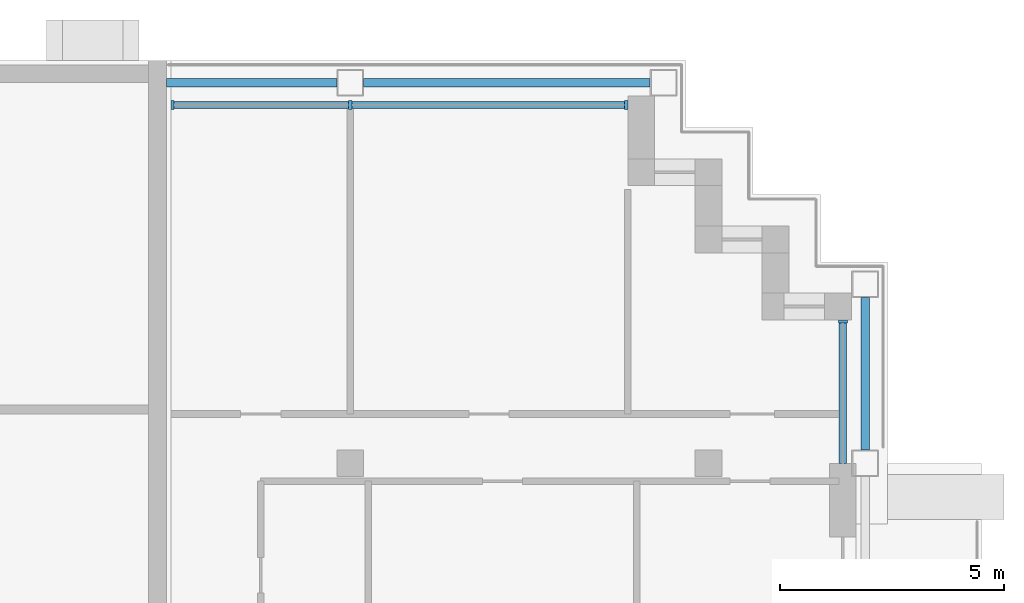
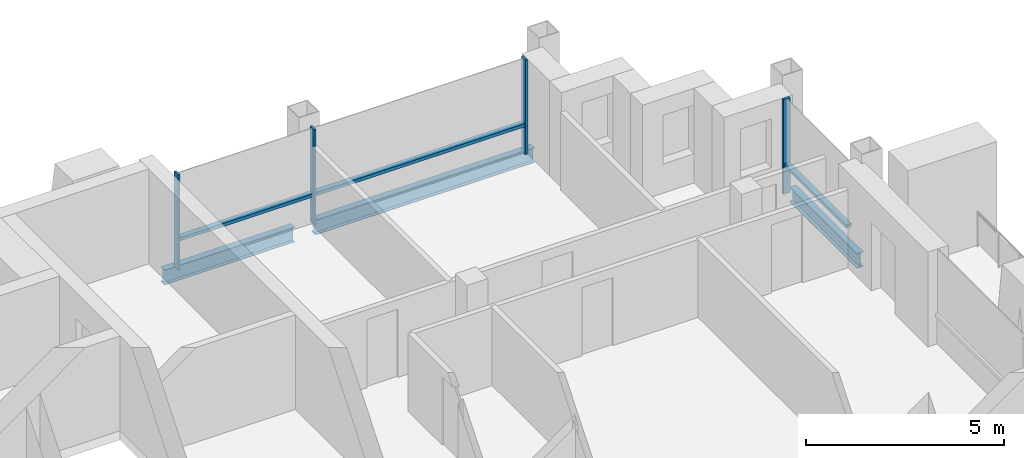
# One storey, part 5 of 15: 7 members, 3 beams, 2 elements without a shape of their own.
"""IFC4 building model written with IfcOpenShell, lengths in metres."""

import ifcopenshell
import ifcopenshell.guid

model = None  # the IFC model being written
_history = None  # IfcOwnerHistory: only IFC2X3 demands one
_inside = {}  # id of a spatial element -> (the spatial element, [elements in it])
_under = {}  # id of a project, library or spatial element -> (it, [spatial elements below it])
_declared = {}  # id of a project -> (the project, [libraries it declares])
_typed = {}  # id of a type object -> (the type object, [elements of that type])
_made_of = {}  # id of a material, layer set ... -> (it, [elements and type objects made of it])


def new_model(schema):
    """Start an empty IFC model of exactly this schema.

    Asked for "IFC4X3", IfcOpenShell would pick the latest addendum, in which some entities
    have other attributes; the version numbers below select the first issue.
    IFC2X3 requires an IfcOwnerHistory on every rooted entity: one is made here for all.
    """
    global model, _history
    if schema == "IFC4X3":
        model = ifcopenshell.file(schema_version=(4, 3, 0, 0))
    else:
        model = ifcopenshell.file(schema=schema)
    _inside.clear()
    _under.clear()
    _declared.clear()
    _typed.clear()
    _made_of.clear()
    _history = None
    if model.schema == "IFC2X3":
        org = make("IfcOrganization", Name="unknown")
        user = make(
            "IfcPersonAndOrganization",
            ThePerson=make("IfcPerson", FamilyName="unknown"),
            TheOrganization=org,
        )
        app = make(
            "IfcApplication",
            ApplicationDeveloper=org,
            Version="unknown",
            ApplicationFullName="unknown",
            ApplicationIdentifier="unknown",
        )
        _history = make(
            "IfcOwnerHistory",
            OwningUser=user,
            OwningApplication=app,
            ChangeAction="ADDED",
            CreationDate=0,
        )
    return model


def make(cls, **values):
    """One entity of the class cls with the attributes given. An attribute that is None is left unset."""
    return model.create_entity(
        cls, **{name: value for name, value in values.items() if value is not None}
    )


def rooted(cls, **values):
    """An entity with a GlobalId (a new one), such as an element, a storey or a relation."""
    return make(cls, GlobalId=ifcopenshell.guid.new(), OwnerHistory=_history, **values)


def si_unit(unit_type, name, prefix=None):
    """IfcSIUnit, for example si_unit("LENGTHUNIT", "METRE", prefix="MILLI")."""
    return make("IfcSIUnit", UnitType=unit_type, Prefix=prefix, Name=name)


def assignment(units):
    """IfcUnitAssignment: the units of a project."""
    return None if units is None else make("IfcUnitAssignment", Units=units)


def point(xyz):
    """IfcCartesianPoint."""
    return None if xyz is None else make("IfcCartesianPoint", Coordinates=xyz)


def direction(xyz):
    """IfcDirection."""
    return None if xyz is None else make("IfcDirection", DirectionRatios=xyz)


def frame(location, z_axis=None, x_axis=None):
    """IfcAxis2Placement3D, a coordinate frame: its origin and axes. An axis left out is left unset."""
    return make(
        "IfcAxis2Placement3D",
        Location=point(location),
        Axis=direction(z_axis),
        RefDirection=direction(x_axis),
    )


def frame_2d(location, x_axis=None):
    """IfcAxis2Placement2D, a coordinate frame in the plane: its origin and x axis."""
    return make(
        "IfcAxis2Placement2D", Location=point(location), RefDirection=direction(x_axis)
    )


def origin():
    """The frame at (0, 0, 0) with its axes left unset."""
    return frame((0.0, 0.0, 0.0))


def origin_2d():
    """The frame at (0, 0) in the plane with its x axis left unset."""
    return frame_2d((0.0, 0.0))


def place(relative_to, where):
    """IfcLocalPlacement: puts the frame where relative to a parent placement (None: the world)."""
    return make(
        "IfcLocalPlacement", PlacementRelTo=relative_to, RelativePlacement=where
    )


def context(
    kind, dimensions, precision=None, world=None, true_north=None, identifier=None
):
    """IfcGeometricRepresentationContext, for example the 3D "Model" context."""
    return make(
        "IfcGeometricRepresentationContext",
        ContextIdentifier=identifier,
        ContextType=kind,
        CoordinateSpaceDimension=dimensions,
        Precision=precision,
        WorldCoordinateSystem=world,
        TrueNorth=true_north,
    )


def subcontext(parent, identifier, kind, view, scale=None):
    """IfcGeometricRepresentationSubContext, for example "Body" below "Model"."""
    return make(
        "IfcGeometricRepresentationSubContext",
        ContextIdentifier=identifier,
        ContextType=kind,
        ParentContext=parent,
        TargetScale=scale,
        TargetView=view,
    )


def project(units=None, contexts=None):
    """IfcProject with its units and contexts."""
    return rooted(
        "IfcProject",
        Name="project",
        RepresentationContexts=contexts,
        UnitsInContext=assignment(units),
    )


def spatial(cls, under=None, at=None, **own):
    """A site, building, storey or space (cls), placed at a placement, below another one or the project."""
    s = rooted(cls, ObjectPlacement=at, **own)
    if under is not None:
        _under.setdefault(under.id(), (under, []))[1].append(s)
    return s


def profile(cls, at=None, kind="AREA", **sizes):
    """A parametric profile (cls). Its sizes go by their IFC names, for example OverallWidth=200.0."""
    return make(cls, ProfileType=kind, Position=at, **sizes)


def rectangle(**sizes):
    """IfcRectangleProfileDef."""
    return profile("IfcRectangleProfileDef", **sizes)


def i_section(**sizes):
    """IfcIShapeProfileDef."""
    return profile("IfcIShapeProfileDef", **sizes)


def extrude(swept, where, along, depth):
    """IfcExtrudedAreaSolid: the profile swept, set in the frame where, extruded along a direction by depth."""
    return make(
        "IfcExtrudedAreaSolid",
        SweptArea=swept,
        Position=where,
        ExtrudedDirection=direction(along),
        Depth=depth,
    )


def shape(context_of_items, identifier, shape_type, items):
    """IfcShapeRepresentation: the items that make up one representation, for example the "Body"."""
    return make(
        "IfcShapeRepresentation",
        ContextOfItems=context_of_items,
        RepresentationIdentifier=identifier,
        RepresentationType=shape_type,
        Items=items,
    )


def material(Name=None, Category=None):
    """IfcMaterial."""
    return make("IfcMaterial", Name=Name, Category=Category)


def material_profile(
    of_material, cross_section, Name=None, Category=None, Priority=None
):
    """IfcMaterialProfile: a cross section and its material."""
    return make(
        "IfcMaterialProfile",
        Name=Name,
        Material=of_material,
        Profile=cross_section,
        Priority=Priority,
        Category=Category,
    )


def profile_set(profiles, Name=None, composite=None):
    """IfcMaterialProfileSet."""
    return make(
        "IfcMaterialProfileSet",
        Name=Name,
        MaterialProfiles=profiles,
        CompositeProfile=composite,
    )


def made_of(thing, what):
    """Note that an element or type object is made of a material, layer set ...; save() writes the relation."""
    if what is not None:
        _made_of.setdefault(what.id(), (what, []))[1].append(thing)
    return thing


def type_object(cls, material=None, **own):
    """A type object (cls), such as IfcWallType, which elements share."""
    return made_of(rooted(cls, **own), material)


def element(
    cls,
    number,
    at=None,
    inside=None,
    cuts=None,
    type_object=None,
    material=None,
    context=None,
    identifier="Body",
    shape_type=None,
    held_by="IfcProductDefinitionShape",
    body=None,
    shapes=None,
    **own,
):
    """One element of the class cls, such as IfcWall. Its Tag is "e" and its number.

    at: its placement. inside: the storey or other place that contains it. cuts: it is an
    opening in that element (IfcRelVoidsElement). A single representation is given by context,
    identifier, shape_type and body (its items); several are given by shapes. held_by: the class
    of the entity that holds the representations. save() writes the other relations.
    """
    e = rooted(cls, Tag="e%d" % number, ObjectPlacement=at, **own)
    if body is not None:
        shapes = [shape(context, identifier, shape_type, body)]
    if shapes is not None:
        e.Representation = make(held_by, Representations=shapes)
    if inside is not None:
        _inside.setdefault(inside.id(), (inside, []))[1].append(e)
    if cuts is not None:
        rooted(
            "IfcRelVoidsElement", RelatingBuildingElement=cuts, RelatedOpeningElement=e
        )
    if type_object is not None:
        _typed.setdefault(type_object.id(), (type_object, []))[1].append(e)
    return made_of(e, material)


def aggregate(whole, parts):
    """IfcRelAggregates: a whole, such as a stair, and the parts it consists of."""
    return rooted("IfcRelAggregates", RelatingObject=whole, RelatedObjects=parts)


def save(model, path):
    """Write the relations noted so far, then the file.

    IfcRelAggregates (storeys below a building ...), IfcRelContainedInSpatialStructure (elements
    in a storey), IfcRelDefinesByType, IfcRelAssociatesMaterial and IfcRelDeclares: one each for
    every whole, place, type object, material and project.
    """
    for whole, parts in _under.values():
        aggregate(whole, parts)
    for where, things in _inside.values():
        rooted(
            "IfcRelContainedInSpatialStructure",
            RelatedElements=things,
            RelatingStructure=where,
        )
    for kind, things in _typed.values():
        rooted("IfcRelDefinesByType", RelatedObjects=things, RelatingType=kind)
    for what, things in _made_of.values():
        rooted("IfcRelAssociatesMaterial", RelatedObjects=things, RelatingMaterial=what)
    for by, libraries in _declared.values():
        rooted("IfcRelDeclares", RelatingContext=by, RelatedDefinitions=libraries)
    model.write(path)


model = new_model("IFC4")

# Units and contexts
model_context = context("Model", 3, precision=1e-05, world=origin(), true_north=direction((0.0, 1.0)))
body_context = subcontext(model_context, "Body", "Model", "MODEL_VIEW")
ifc_project = project(units=[si_unit("LENGTHUNIT", "METRE"), si_unit("AREAUNIT", "SQUARE_METRE"), si_unit("VOLUMEUNIT", "CUBIC_METRE"), si_unit("PLANEANGLEUNIT", "RADIAN"), si_unit("MASSUNIT", "GRAM", prefix="KILO")], contexts=[model_context])

# Site, building, storey
site_placement = place(None, origin())
site = spatial("IfcSite", under=ifc_project, at=site_placement, CompositionType="ELEMENT")
building_placement = place(site_placement, origin())
building = spatial("IfcBuilding", under=site, at=building_placement, Name="Vidyagriha Tower", CompositionType="ELEMENT")
storey_placement = place(building_placement, frame((0.0, 0.0, 214.0)))
storey = spatial("IfcBuildingStorey", under=building, at=storey_placement, Name="L55", CompositionType="ELEMENT", Elevation=214.0)

# Beams
ifc_material_1 = material(Name="Steel ASTM A992 Grade 50", Category="steel")
ifc_material_profile_1 = material_profile(ifc_material_1, i_section(OverallWidth=0.19189453125, OverallDepth=0.46240234375, WebThickness=0.010498046875, FlangeThickness=0.017578125, at=origin_2d()), Name="W18X60")
ifc_profile_set_1 = profile_set([ifc_material_profile_1], Name="Steel ASTM A992 Grade 50")
beam_type = type_object("IfcBeamType", Name="Edge beam W18X60", PredefinedType="SPANDREL", material=ifc_profile_set_1)
beam_1_placement = place(storey_placement, frame((29.5, 11.300048828125, -0.51123046875), z_axis=(0.0, 1.0, 0.0), x_axis=(-1.0, 0.0, 0.0)))
element("IfcBeam", 1, at=beam_1_placement, inside=storey, type_object=beam_type, Name="st-beam-L55-E17", PredefinedType="SPANDREL", context=body_context, shape_type="SweptSolid", body=[
    extrude(i_section(OverallWidth=0.19189453125, OverallDepth=0.46240234375, WebThickness=0.010498046875, FlangeThickness=0.017578125, at=origin_2d()), origin(), (0.0, 0.0, 1.0), 3.39990234375),
])
beam_2_placement = place(storey_placement, frame((18.300048828125, 19.5, -0.51123046875), z_axis=(1.0, 0.0, 0.0), x_axis=(0.0, 1.0, 0.0)))
element("IfcBeam", 2, at=beam_2_placement, inside=storey, type_object=beam_type, Name="st-beam-L55-NE19", PredefinedType="SPANDREL", context=body_context, shape_type="SweptSolid", body=[
    extrude(i_section(OverallWidth=0.19189453125, OverallDepth=0.46240234375, WebThickness=0.010498046875, FlangeThickness=0.017578125, at=origin_2d()), origin(), (0.0, 0.0, 1.0), 6.39990234375),
])
beam_3_placement = place(storey_placement, frame((13.89990234375, 19.5, -0.51123046875), z_axis=(1.0, 0.0, 0.0), x_axis=(0.0, 1.0, 0.0)))
element("IfcBeam", 3, at=beam_3_placement, inside=storey, type_object=beam_type, Name="st-beam-L55-NC21", PredefinedType="SPANDREL", context=body_context, shape_type="SweptSolid", body=[
    extrude(i_section(OverallWidth=0.19189453125, OverallDepth=0.46240234375, WebThickness=0.010498046875, FlangeThickness=0.017578125, at=origin_2d()), origin(), (0.0, 0.0, 1.0), 3.800048828125),
])

# Curtain wall, members
ifc_material_2 = material(Name="Aluminium and glass curtain wall", Category="aluminium")
curtain_wall_type = type_object("IfcCurtainWallType", Name="Dwelling skin unitised curtain wall", PredefinedType="USERDEFINED", material=ifc_material_2)
curtain_wall_1_placement = place(storey_placement, origin())
curtain_wall_1 = element("IfcCurtainWall", 4, at=curtain_wall_1_placement, inside=storey, type_object=curtain_wall_type, Name="CW1 dwelling skin", ObjectType="UNITISED", PredefinedType="USERDEFINED")
ifc_material_3 = material(Name="Aluminium black anodised", Category="aluminium")
ifc_material_profile_2 = material_profile(ifc_material_3, rectangle(XDim=0.199951171875, YDim=0.070068359375, at=origin_2d()), Name="Mullion 70x200 black aluminium")
ifc_profile_set_2 = profile_set([ifc_material_profile_2], Name="Aluminium black anodised")
member_type_1 = type_object("IfcMemberType", Name="Mullion 70x200 black aluminium", PredefinedType="MULLION", material=ifc_profile_set_2)
member_1_placement = place(storey_placement, frame((24.1650390625, 19.0, 0.0), z_axis=(0.0, 0.0, 1.0), x_axis=(0.0, -1.0, 0.0)))
member_1 = element("IfcMember", 5, at=member_1_placement, type_object=member_type_1, Name="CW1 mullion 1", PredefinedType="MULLION", context=body_context, shape_type="SweptSolid", body=[
    extrude(rectangle(XDim=0.199951171875, YDim=0.070068359375, at=origin_2d()), origin(), (0.0, 0.0, 1.0), 2.919921875),
])
member_2_placement = place(storey_placement, frame((18.0, 19.0, 0.0), z_axis=(0.0, 0.0, 1.0), x_axis=(0.0, -1.0, 0.0)))
member_2 = element("IfcMember", 6, at=member_2_placement, type_object=member_type_1, Name="CW1 mullion 2", PredefinedType="MULLION", context=body_context, shape_type="SweptSolid", body=[
    extrude(rectangle(XDim=0.199951171875, YDim=0.070068359375, at=origin_2d()), origin(), (0.0, 0.0, 1.0), 2.919921875),
])
member_3_placement = place(storey_placement, frame((14.034912109375, 19.0, 0.0), z_axis=(0.0, 0.0, 1.0), x_axis=(0.0, -1.0, 0.0)))
member_3 = element("IfcMember", 7, at=member_3_placement, type_object=member_type_1, Name="CW1 mullion 3", PredefinedType="MULLION", context=body_context, shape_type="SweptSolid", body=[
    extrude(rectangle(XDim=0.199951171875, YDim=0.070068359375, at=origin_2d()), origin(), (0.0, 0.0, 1.0), 2.919921875),
])

# Curtain wall, member
curtain_wall_2_placement = place(storey_placement, origin())
curtain_wall_2 = element("IfcCurtainWall", 8, at=curtain_wall_2_placement, inside=storey, type_object=curtain_wall_type, Name="CW1 dwelling skin", ObjectType="UNITISED", PredefinedType="USERDEFINED")
member_4_placement = place(storey_placement, frame((29.0, 14.1650390625, 0.0), z_axis=(0.0, 0.0, 1.0), x_axis=(-1.0, 0.0, 0.0)))
member_4 = element("IfcMember", 9, at=member_4_placement, type_object=member_type_1, Name="CW1 mullion 2", PredefinedType="MULLION", context=body_context, shape_type="SweptSolid", body=[
    extrude(rectangle(XDim=0.199951171875, YDim=0.070068359375, at=origin_2d()), origin(), (0.0, 0.0, 1.0), 2.919921875),
])

# Member
ifc_material_4 = material(Name="Aluminium black anodised", Category="aluminium")
ifc_material_profile_3 = material_profile(ifc_material_4, rectangle(XDim=0.159912109375, YDim=0.10009765625, at=origin_2d()), Name="Transom 100x160 black aluminium")
ifc_profile_set_3 = profile_set([ifc_material_profile_3], Name="Aluminium black anodised")
member_type_2 = type_object("IfcMemberType", Name="Transom 100x160 black aluminium", PredefinedType="USERDEFINED", material=ifc_profile_set_3)
member_5_placement = place(storey_placement, frame((24.1298828125, 19.0, 0.89990234375), z_axis=(-1.0, 0.0, 0.0), x_axis=(0.0, -1.0, 0.0)))
member_5 = element("IfcMember", 10, at=member_5_placement, type_object=member_type_2, Name="CW1 transom 1.1", ObjectType="TRANSOM", PredefinedType="USERDEFINED", context=body_context, shape_type="SweptSolid", body=[
    extrude(rectangle(XDim=0.159912109375, YDim=0.10009765625, at=origin_2d()), origin(), (0.0, 0.0, 1.0), 6.094970703125),
])

member_6_placement = place(storey_placement, frame((17.965087890625, 19.0, 0.89990234375), z_axis=(-1.0, 0.0, 0.0), x_axis=(0.0, -1.0, 0.0)))
member_6 = element("IfcMember", 11, at=member_6_placement, type_object=member_type_2, Name="CW1 transom 2.1", ObjectType="TRANSOM", PredefinedType="USERDEFINED", context=body_context, shape_type="SweptSolid", body=[
    extrude(rectangle(XDim=0.159912109375, YDim=0.10009765625, at=origin_2d()), origin(), (0.0, 0.0, 1.0), 3.89501953125),
])

aggregate(curtain_wall_1, [member_1, member_2, member_3, member_5, member_6])

member_7_placement = place(storey_placement, frame((29.0, 11.0, 0.89990234375), z_axis=(0.0, 1.0, 0.0), x_axis=(-1.0, 0.0, 0.0)))
member_7 = element("IfcMember", 12, at=member_7_placement, type_object=member_type_2, Name="CW1 transom 1.1", ObjectType="TRANSOM", PredefinedType="USERDEFINED", context=body_context, shape_type="SweptSolid", body=[
    extrude(rectangle(XDim=0.159912109375, YDim=0.10009765625, at=origin_2d()), origin(), (0.0, 0.0, 1.0), 3.1298828125),
])

aggregate(curtain_wall_2, [member_4, member_7])

save(model, "model.ifc")
